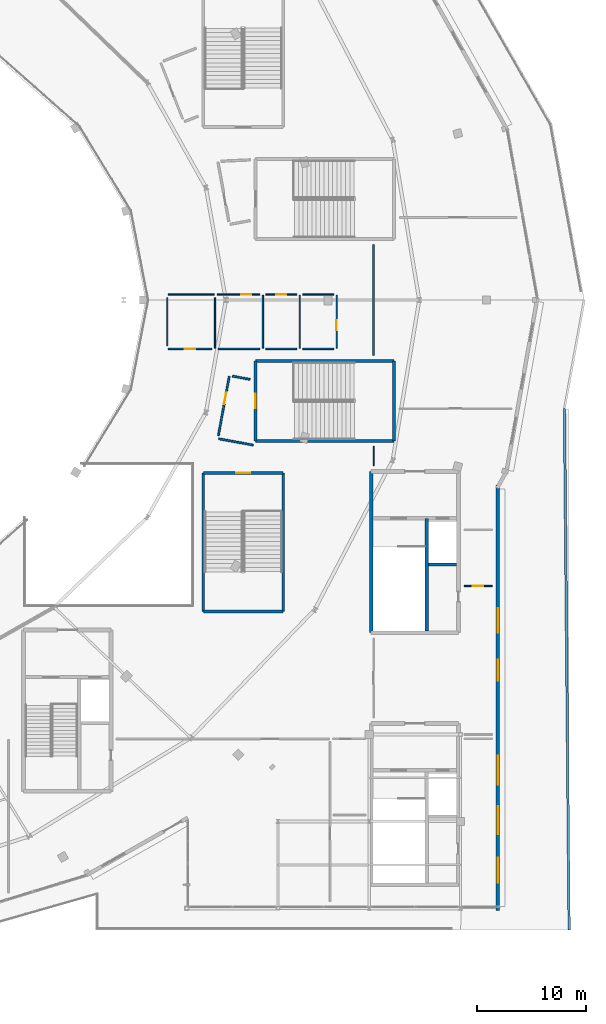
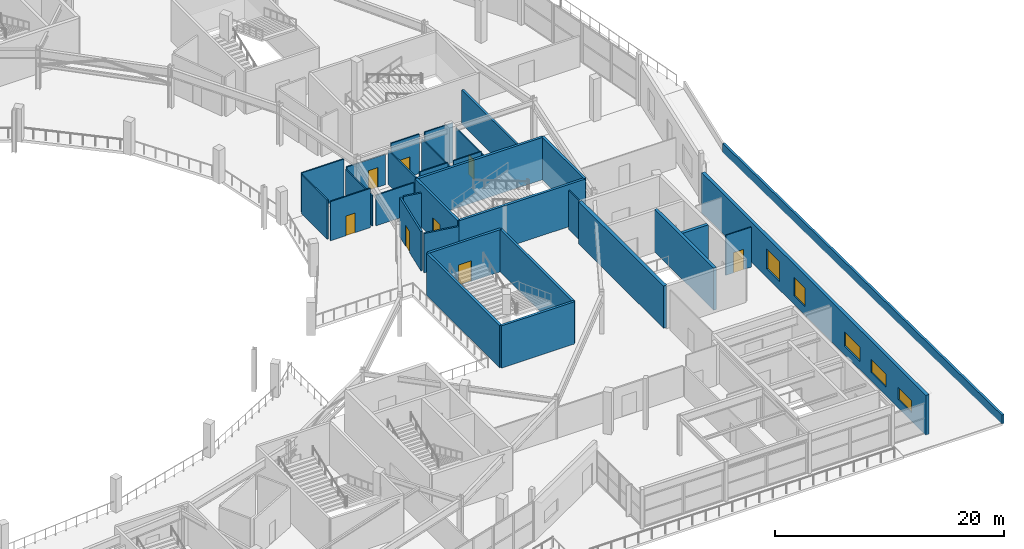
# One storey, part 92 of 123: 32 walls, 8 doors, 5 windows, 13 openings.
"""IFC4 building model written with IfcOpenShell, lengths in metres."""

import ifcopenshell
import ifcopenshell.guid

model = None  # the IFC model being written
_history = None  # IfcOwnerHistory: only IFC2X3 demands one
_inside = {}  # id of a spatial element -> (the spatial element, [elements in it])
_under = {}  # id of a project, library or spatial element -> (it, [spatial elements below it])
_declared = {}  # id of a project -> (the project, [libraries it declares])
_typed = {}  # id of a type object -> (the type object, [elements of that type])
_made_of = {}  # id of a material, layer set ... -> (it, [elements and type objects made of it])


def new_model(schema):
    """Start an empty IFC model of exactly this schema.

    Asked for "IFC4X3", IfcOpenShell would pick the latest addendum, in which some entities
    have other attributes; the version numbers below select the first issue.
    IFC2X3 requires an IfcOwnerHistory on every rooted entity: one is made here for all.
    """
    global model, _history
    if schema == "IFC4X3":
        model = ifcopenshell.file(schema_version=(4, 3, 0, 0))
    else:
        model = ifcopenshell.file(schema=schema)
    _inside.clear()
    _under.clear()
    _declared.clear()
    _typed.clear()
    _made_of.clear()
    _history = None
    if model.schema == "IFC2X3":
        org = make("IfcOrganization", Name="unknown")
        user = make(
            "IfcPersonAndOrganization",
            ThePerson=make("IfcPerson", FamilyName="unknown"),
            TheOrganization=org,
        )
        app = make(
            "IfcApplication",
            ApplicationDeveloper=org,
            Version="unknown",
            ApplicationFullName="unknown",
            ApplicationIdentifier="unknown",
        )
        _history = make(
            "IfcOwnerHistory",
            OwningUser=user,
            OwningApplication=app,
            ChangeAction="ADDED",
            CreationDate=0,
        )
    return model


def make(cls, **values):
    """One entity of the class cls with the attributes given. An attribute that is None is left unset."""
    return model.create_entity(
        cls, **{name: value for name, value in values.items() if value is not None}
    )


def rooted(cls, **values):
    """An entity with a GlobalId (a new one), such as an element, a storey or a relation."""
    return make(cls, GlobalId=ifcopenshell.guid.new(), OwnerHistory=_history, **values)


def si_unit(unit_type, name, prefix=None):
    """IfcSIUnit, for example si_unit("LENGTHUNIT", "METRE", prefix="MILLI")."""
    return make("IfcSIUnit", UnitType=unit_type, Prefix=prefix, Name=name)


def assignment(units):
    """IfcUnitAssignment: the units of a project."""
    return None if units is None else make("IfcUnitAssignment", Units=units)


def point(xyz):
    """IfcCartesianPoint."""
    return None if xyz is None else make("IfcCartesianPoint", Coordinates=xyz)


def direction(xyz):
    """IfcDirection."""
    return None if xyz is None else make("IfcDirection", DirectionRatios=xyz)


def frame(location, z_axis=None, x_axis=None):
    """IfcAxis2Placement3D, a coordinate frame: its origin and axes. An axis left out is left unset."""
    return make(
        "IfcAxis2Placement3D",
        Location=point(location),
        Axis=direction(z_axis),
        RefDirection=direction(x_axis),
    )


def frame_2d(location, x_axis=None):
    """IfcAxis2Placement2D, a coordinate frame in the plane: its origin and x axis."""
    return make(
        "IfcAxis2Placement2D", Location=point(location), RefDirection=direction(x_axis)
    )


def origin():
    """The frame at (0, 0, 0) with its axes left unset."""
    return frame((0.0, 0.0, 0.0))


def place(relative_to, where):
    """IfcLocalPlacement: puts the frame where relative to a parent placement (None: the world)."""
    return make(
        "IfcLocalPlacement", PlacementRelTo=relative_to, RelativePlacement=where
    )


def context(
    kind, dimensions, precision=None, world=None, true_north=None, identifier=None
):
    """IfcGeometricRepresentationContext, for example the 3D "Model" context."""
    return make(
        "IfcGeometricRepresentationContext",
        ContextIdentifier=identifier,
        ContextType=kind,
        CoordinateSpaceDimension=dimensions,
        Precision=precision,
        WorldCoordinateSystem=world,
        TrueNorth=true_north,
    )


def subcontext(parent, identifier, kind, view, scale=None):
    """IfcGeometricRepresentationSubContext, for example "Body" below "Model"."""
    return make(
        "IfcGeometricRepresentationSubContext",
        ContextIdentifier=identifier,
        ContextType=kind,
        ParentContext=parent,
        TargetScale=scale,
        TargetView=view,
    )


def project(units=None, contexts=None):
    """IfcProject with its units and contexts."""
    return rooted(
        "IfcProject",
        Name="project",
        RepresentationContexts=contexts,
        UnitsInContext=assignment(units),
    )


def spatial(cls, under=None, at=None, **own):
    """A site, building, storey or space (cls), placed at a placement, below another one or the project."""
    s = rooted(cls, ObjectPlacement=at, **own)
    if under is not None:
        _under.setdefault(under.id(), (under, []))[1].append(s)
    return s


def profile(cls, at=None, kind="AREA", **sizes):
    """A parametric profile (cls). Its sizes go by their IFC names, for example OverallWidth=200.0."""
    return make(cls, ProfileType=kind, Position=at, **sizes)


def rectangle(**sizes):
    """IfcRectangleProfileDef."""
    return profile("IfcRectangleProfileDef", **sizes)


def extrude(swept, where, along, depth):
    """IfcExtrudedAreaSolid: the profile swept, set in the frame where, extruded along a direction by depth."""
    return make(
        "IfcExtrudedAreaSolid",
        SweptArea=swept,
        Position=where,
        ExtrudedDirection=direction(along),
        Depth=depth,
    )


def shape(context_of_items, identifier, shape_type, items):
    """IfcShapeRepresentation: the items that make up one representation, for example the "Body"."""
    return make(
        "IfcShapeRepresentation",
        ContextOfItems=context_of_items,
        RepresentationIdentifier=identifier,
        RepresentationType=shape_type,
        Items=items,
    )


def material(Name=None, Category=None):
    """IfcMaterial."""
    return make("IfcMaterial", Name=Name, Category=Category)


def layer(
    of_material, thickness, ventilated=None, Name=None, Category=None, Priority=None
):
    """IfcMaterialLayer: one layer of a wall or slab, of a material (None: an air gap)."""
    return make(
        "IfcMaterialLayer",
        Material=of_material,
        LayerThickness=thickness,
        IsVentilated=ventilated,
        Name=Name,
        Category=Category,
        Priority=Priority,
    )


def layer_set(layers, Name=None):
    """IfcMaterialLayerSet."""
    return make("IfcMaterialLayerSet", MaterialLayers=layers, LayerSetName=Name)


def made_of(thing, what):
    """Note that an element or type object is made of a material, layer set ...; save() writes the relation."""
    if what is not None:
        _made_of.setdefault(what.id(), (what, []))[1].append(thing)
    return thing


def type_object(cls, material=None, **own):
    """A type object (cls), such as IfcWallType, which elements share."""
    return made_of(rooted(cls, **own), material)


def element(
    cls,
    number,
    at=None,
    inside=None,
    cuts=None,
    type_object=None,
    material=None,
    context=None,
    identifier="Body",
    shape_type=None,
    held_by="IfcProductDefinitionShape",
    body=None,
    shapes=None,
    **own,
):
    """One element of the class cls, such as IfcWall. Its Tag is "e" and its number.

    at: its placement. inside: the storey or other place that contains it. cuts: it is an
    opening in that element (IfcRelVoidsElement). A single representation is given by context,
    identifier, shape_type and body (its items); several are given by shapes. held_by: the class
    of the entity that holds the representations. save() writes the other relations.
    """
    e = rooted(cls, Tag="e%d" % number, ObjectPlacement=at, **own)
    if body is not None:
        shapes = [shape(context, identifier, shape_type, body)]
    if shapes is not None:
        e.Representation = make(held_by, Representations=shapes)
    if inside is not None:
        _inside.setdefault(inside.id(), (inside, []))[1].append(e)
    if cuts is not None:
        rooted(
            "IfcRelVoidsElement", RelatingBuildingElement=cuts, RelatedOpeningElement=e
        )
    if type_object is not None:
        _typed.setdefault(type_object.id(), (type_object, []))[1].append(e)
    return made_of(e, material)


def fill(opening, filler):
    """IfcRelFillsElement: the door or window that sits in an opening."""
    return rooted(
        "IfcRelFillsElement",
        RelatingOpeningElement=opening,
        RelatedBuildingElement=filler,
    )


def aggregate(whole, parts):
    """IfcRelAggregates: a whole, such as a stair, and the parts it consists of."""
    return rooted("IfcRelAggregates", RelatingObject=whole, RelatedObjects=parts)


def save(model, path):
    """Write the relations noted so far, then the file.

    IfcRelAggregates (storeys below a building ...), IfcRelContainedInSpatialStructure (elements
    in a storey), IfcRelDefinesByType, IfcRelAssociatesMaterial and IfcRelDeclares: one each for
    every whole, place, type object, material and project.
    """
    for whole, parts in _under.values():
        aggregate(whole, parts)
    for where, things in _inside.values():
        rooted(
            "IfcRelContainedInSpatialStructure",
            RelatedElements=things,
            RelatingStructure=where,
        )
    for kind, things in _typed.values():
        rooted("IfcRelDefinesByType", RelatedObjects=things, RelatingType=kind)
    for what, things in _made_of.values():
        rooted("IfcRelAssociatesMaterial", RelatedObjects=things, RelatingMaterial=what)
    for by, libraries in _declared.values():
        rooted("IfcRelDeclares", RelatingContext=by, RelatedDefinitions=libraries)
    model.write(path)


model = new_model("IFC4")

# Units and contexts
model_context = context("Model", 3, precision=1e-05, world=origin(), true_north=direction((0.0, 1.0)))
body_context = subcontext(model_context, "Body", "Model", "MODEL_VIEW")
ifc_project = project(units=[si_unit("LENGTHUNIT", "METRE"), si_unit("AREAUNIT", "SQUARE_METRE"), si_unit("VOLUMEUNIT", "CUBIC_METRE"), si_unit("PLANEANGLEUNIT", "RADIAN"), si_unit("MASSUNIT", "GRAM", prefix="KILO")], contexts=[model_context])

# Site, building, storey
site_placement = place(None, origin())
site = spatial("IfcSite", under=ifc_project, at=site_placement, CompositionType="ELEMENT")
building_placement = place(site_placement, origin())
building = spatial("IfcBuilding", under=site, at=building_placement, Name="Kalgoora Escarpment Arena", CompositionType="ELEMENT")
storey_placement = place(building_placement, frame((0.0, 0.0, 9.89990234375)))
storey = spatial("IfcBuildingStorey", under=building, at=storey_placement, Name="L02", CompositionType="ELEMENT", Elevation=9.89990234375)

# Wall
ifc_material_1 = material(Name="Concrete N50 (fc' 50 MPa)", Category="concrete")
ifc_layer_1 = layer(ifc_material_1, 0.35009765625)
ifc_layer_set_1 = layer_set([ifc_layer_1], Name="WAL-CORE-350")
wall_type_1 = type_object("IfcWallType", Name="WAL-CORE-350", PredefinedType="SHEAR", material=ifc_layer_set_1)
wall_1_placement = place(storey_placement, frame((159.77490234375, 33.375, 0.0), z_axis=(0.0, 0.0, 1.0), x_axis=(0.0, 1.0, 0.0)))
element("IfcWall", 1, at=wall_1_placement, inside=storey, type_object=wall_type_1, Name="Core C7 L02 west shear wall", PredefinedType="SHEAR", context=body_context, shape_type="SweptSolid", body=[
    extrude(rectangle(XDim=14.85009765625, YDim=0.35009765625, at=frame_2d((7.425048828125, 0.0))), origin(), (0.0, 0.0, 1.0), 4.5),
])

# Wall, openings, windows
ifc_material_2 = material(Name="Insulated limestone cladding precast wall 40 MPa", Category="masonry")
ifc_layer_2 = layer(ifc_material_2, 0.31494140625)
ifc_layer_set_2 = layer_set([ifc_layer_2], Name="WAL-EXT-315")
wall_type_2 = type_object("IfcWallType", Name="WAL-EXT-315", PredefinedType="SOLIDWALL", material=ifc_layer_set_2)
wall_2_placement = place(storey_placement, frame((171.4423828125, 46.95361328125, 0.0), z_axis=(0.0, 0.0, 1.0), x_axis=(0.0, -1.0, 0.0)))
wall_2 = element("IfcWall", 2, at=wall_2_placement, inside=storey, type_object=wall_type_2, Name="L02 limestone-faced external wall 053", PredefinedType="SOLIDWALL", context=body_context, shape_type="SweptSolid", body=[
    extrude(rectangle(XDim=39.13623046875, YDim=0.31494140625, at=frame_2d((19.568115234375, 0.0))), origin(), (0.0, 0.0, 1.0), 4.260009765625),
])
opening_1_placement = place(wall_2_placement, frame((11.324951171875, 0.0, 0.89990234375)))
opening_1 = element("IfcOpeningElement", 3, at=opening_1_placement, cuts=wall_2, Name="Opening W-07", PredefinedType="OPENING", context=body_context, shape_type="SweptSolid", body=[
    extrude(rectangle(XDim=2.25, YDim=2.10009765625, at=frame_2d((1.125, 1.050048828125))), frame((0.0, 0.16748046875, 0.0), z_axis=(0.0, -1.0, 0.0), x_axis=(1.0, 0.0, 0.0)), (0.0, 0.0, 1.0), 0.3349609375),
])
opening_2_placement = place(wall_2_placement, frame((16.074951171875, 0.0, 0.89990234375)))
opening_2 = element("IfcOpeningElement", 4, at=opening_2_placement, cuts=wall_2, Name="Opening W-09", PredefinedType="OPENING", context=body_context, shape_type="SweptSolid", body=[
    extrude(rectangle(XDim=1.949951171875, YDim=2.0, at=frame_2d((0.97509765625, 1.0))), frame((0.0, 0.16748046875, 0.0), z_axis=(0.0, -1.0, 0.0), x_axis=(1.0, 0.0, 0.0)), (0.0, 0.0, 1.0), 0.3349609375),
])
opening_3_placement = place(wall_2_placement, frame((24.89990234375, 0.0, 0.89990234375)))
opening_3 = element("IfcOpeningElement", 5, at=opening_3_placement, cuts=wall_2, Name="Opening W-12", PredefinedType="OPENING", context=body_context, shape_type="SweptSolid", body=[
    extrude(rectangle(XDim=2.699951171875, YDim=1.550048828125, at=frame_2d((1.35009765625, 0.77490234375))), frame((0.0, 0.16748046875, 0.0), z_axis=(0.0, -1.0, 0.0), x_axis=(1.0, 0.0, 0.0)), (0.0, 0.0, 1.0), 0.3349609375),
])
opening_4_placement = place(wall_2_placement, frame((29.550048828125, 0.0, 0.89990234375)))
opening_4 = element("IfcOpeningElement", 6, at=opening_4_placement, cuts=wall_2, Name="Opening W-14", PredefinedType="OPENING", context=body_context, shape_type="SweptSolid", body=[
    extrude(rectangle(XDim=2.60009765625, YDim=1.39990234375, at=frame_2d((1.300048828125, 0.699951171875))), frame((0.0, 0.16748046875, 0.0), z_axis=(0.0, -1.0, 0.0), x_axis=(1.0, 0.0, 0.0)), (0.0, 0.0, 1.0), 0.3349609375),
])
opening_5_placement = place(wall_2_placement, frame((34.300048828125, 0.0, 0.89990234375)))
opening_5 = element("IfcOpeningElement", 7, at=opening_5_placement, cuts=wall_2, Name="Opening W-16", PredefinedType="OPENING", context=body_context, shape_type="SweptSolid", body=[
    extrude(rectangle(XDim=2.300048828125, YDim=1.300048828125, at=frame_2d((1.14990234375, 0.64990234375))), frame((0.0, 0.16748046875, 0.0), z_axis=(0.0, -1.0, 0.0), x_axis=(1.0, 0.0, 0.0)), (0.0, 0.0, 1.0), 0.3349609375),
])
ifc_material_3 = material(Name="Low-E solar-control double glazing in champagne frame", Category="glass")
window_type_1 = type_object("IfcWindowType", Name="WIN-BAND-2700x1550", PartitioningType="SINGLE_PANEL", PredefinedType="WINDOW", material=ifc_material_3)
window_1_placement = place(opening_3_placement, origin())
window_1 = element("IfcWindow", 8, at=window_1_placement, inside=storey, type_object=window_type_1, Name="L02 scheduled facade window 067", OverallHeight=1.550048828125, OverallWidth=2.699951171875, PartitioningType="SINGLE_PANEL", PredefinedType="WINDOW", context=body_context, shape_type="SweptSolid", body=[
    extrude(rectangle(XDim=2.699951171875, YDim=1.550048828125, at=frame_2d((1.35009765625, 0.77490234375))), frame((0.0, 0.030029296875, 0.0), z_axis=(0.0, -1.0, 0.0), x_axis=(1.0, 0.0, 0.0)), (0.0, 0.0, 1.0), 0.06005859375),
])
fill(opening_3, window_1)
ifc_material_4 = material(Name="Low-E solar-control double glazing in champagne frame", Category="glass")
window_type_2 = type_object("IfcWindowType", Name="WIN-CLER-2300x1300", PartitioningType="SINGLE_PANEL", PredefinedType="WINDOW", material=ifc_material_4)
window_2_placement = place(opening_5_placement, origin())
window_2 = element("IfcWindow", 9, at=window_2_placement, inside=storey, type_object=window_type_2, Name="L02 scheduled facade window 069", OverallHeight=1.300048828125, OverallWidth=2.300048828125, PartitioningType="SINGLE_PANEL", PredefinedType="WINDOW", context=body_context, shape_type="SweptSolid", body=[
    extrude(rectangle(XDim=2.300048828125, YDim=1.300048828125, at=frame_2d((1.14990234375, 0.64990234375))), frame((0.0, 0.030029296875, 0.0), z_axis=(0.0, -1.0, 0.0), x_axis=(1.0, 0.0, 0.0)), (0.0, 0.0, 1.0), 0.06005859375),
])
fill(opening_5, window_2)
ifc_material_5 = material(Name="Low-E solar-control double glazing in champagne frame", Category="glass")
window_type_3 = type_object("IfcWindowType", Name="WIN-CLER-2600x1400", PartitioningType="SINGLE_PANEL", PredefinedType="WINDOW", material=ifc_material_5)
window_3_placement = place(opening_4_placement, origin())
window_3 = element("IfcWindow", 10, at=window_3_placement, inside=storey, type_object=window_type_3, Name="L02 scheduled facade window 068", OverallHeight=1.39990234375, OverallWidth=2.60009765625, PartitioningType="SINGLE_PANEL", PredefinedType="WINDOW", context=body_context, shape_type="SweptSolid", body=[
    extrude(rectangle(XDim=2.60009765625, YDim=1.39990234375, at=frame_2d((1.300048828125, 0.699951171875))), frame((0.0, 0.030029296875, 0.0), z_axis=(0.0, -1.0, 0.0), x_axis=(1.0, 0.0, 0.0)), (0.0, 0.0, 1.0), 0.06005859375),
])
fill(opening_4, window_3)
ifc_material_6 = material(Name="Low-E solar-control double glazing in champagne frame", Category="glass")
window_type_4 = type_object("IfcWindowType", Name="WIN-DECO-1950x2000", PartitioningType="SINGLE_PANEL", PredefinedType="WINDOW", material=ifc_material_6)
window_4_placement = place(opening_2_placement, origin())
window_4 = element("IfcWindow", 11, at=window_4_placement, inside=storey, type_object=window_type_4, Name="L02 scheduled facade window 066", OverallHeight=2.0, OverallWidth=1.949951171875, PartitioningType="SINGLE_PANEL", PredefinedType="WINDOW", context=body_context, shape_type="SweptSolid", body=[
    extrude(rectangle(XDim=1.949951171875, YDim=2.0, at=frame_2d((0.97509765625, 1.0))), frame((0.0, 0.030029296875, 0.0), z_axis=(0.0, -1.0, 0.0), x_axis=(1.0, 0.0, 0.0)), (0.0, 0.0, 1.0), 0.06005859375),
])
fill(opening_2, window_4)
ifc_material_7 = material(Name="Low-E solar-control double glazing in champagne frame", Category="glass")
window_type_5 = type_object("IfcWindowType", Name="WIN-DECO-2250x2100", PartitioningType="SINGLE_PANEL", PredefinedType="WINDOW", material=ifc_material_7)
window_5_placement = place(opening_1_placement, origin())
window_5 = element("IfcWindow", 12, at=window_5_placement, inside=storey, type_object=window_type_5, Name="L02 scheduled facade window 065", OverallHeight=2.10009765625, OverallWidth=2.25, PartitioningType="SINGLE_PANEL", PredefinedType="WINDOW", context=body_context, shape_type="SweptSolid", body=[
    extrude(rectangle(XDim=2.25, YDim=2.10009765625, at=frame_2d((1.125, 1.050048828125))), frame((0.0, 0.030029296875, 0.0), z_axis=(0.0, -1.0, 0.0), x_axis=(1.0, 0.0, 0.0)), (0.0, 0.0, 1.0), 0.06005859375),
])
fill(opening_1, window_5)

# Wall, opening, door
ifc_material_8 = material(Name="Framed acoustic studio partition", Category="gypsum")
ifc_layer_3 = layer(ifc_material_8, 0.10498046875)
ifc_layer_set_3 = layer_set([ifc_layer_3], Name="WAL-GLZ-105")
wall_type_3 = type_object("IfcWallType", Name="WAL-GLZ-105", PredefinedType="PARTITIONING", material=ifc_layer_set_3)
wall_3_placement = place(storey_placement, frame((168.324951171875, 37.675048828125, 0.0), z_axis=(0.0, 0.0, 1.0), x_axis=(1.0, 0.0, 0.0)))
wall_3 = element("IfcWall", 13, at=wall_3_placement, inside=storey, type_object=wall_type_3, Name="L02 Practice Viewing Gallery partition wall", PredefinedType="PARTITIONING", context=body_context, shape_type="SweptSolid", body=[
    extrude(rectangle(XDim=2.587646484375, YDim=0.10498046875, at=frame_2d((1.2939453125, 0.0))), origin(), (0.0, 0.0, 1.0), 4.260009765625),
])
opening_6_placement = place(wall_3_placement, frame((0.8037109375, 0.0, 0.0)))
opening_6 = element("IfcOpeningElement", 14, at=opening_6_placement, cuts=wall_3, Name="Opening D-I100", PredefinedType="OPENING", context=body_context, shape_type="SweptSolid", body=[
    extrude(rectangle(XDim=0.97998046875, YDim=2.14990234375, at=frame_2d((0.489990234375, 1.074951171875))), frame((0.0, 0.0625, 0.0), z_axis=(0.0, -1.0, 0.0), x_axis=(1.0, 0.0, 0.0)), (0.0, 0.0, 1.0), 0.125),
])
ifc_material_9 = material(Name="Solid-core acoustic timber door", Category="wood")
door_type_1 = type_object("IfcDoorType", Name="DR-GEN-0980", OperationType="NOTDEFINED", PredefinedType="DOOR", material=ifc_material_9)
door_1_placement = place(opening_6_placement, origin())
door_1 = element("IfcDoor", 15, at=door_1_placement, inside=storey, type_object=door_type_1, Name="Practice Viewing Gallery 2 entrance door", OperationType="SINGLE_SWING_RIGHT", OverallHeight=2.14990234375, OverallWidth=0.97998046875, PredefinedType="DOOR", context=body_context, shape_type="SweptSolid", body=[
    extrude(rectangle(XDim=0.97998046875, YDim=2.14990234375, at=frame_2d((0.489990234375, 1.074951171875))), frame((0.0, 0.02490234375, 0.0), z_axis=(0.0, -1.0, 0.0), x_axis=(1.0, 0.0, 0.0)), (0.0, 0.0, 1.0), 0.050048828125),
])
fill(opening_6, door_1)

# Walls
wall_4_placement = place(storey_placement, frame((160.0, 48.72509765625, 0.0), z_axis=(0.0, 0.0, 1.0), x_axis=(0.0, 1.0, 0.0)))
element("IfcWall", 16, at=wall_4_placement, inside=storey, type_object=wall_type_3, Name="L02 Practice Viewing Gallery 3 partition wall", PredefinedType="PARTITIONING", context=body_context, shape_type="SweptSolid", body=[
    extrude(rectangle(XDim=1.7998046875, YDim=0.10498046875, at=frame_2d((0.89990234375, 0.0))), origin(), (0.0, 0.0, 1.0), 4.18017578125),
])
ifc_material_10 = material(Name="Precast limestone coping parapet Concrete N40 (fc' 40 MPa)", Category="masonry")
ifc_layer_4 = layer(ifc_material_10, 0.22509765625)
ifc_layer_set_4 = layer_set([ifc_layer_4], Name="WAL-PAR-225")
wall_type_4 = type_object("IfcWallType", Name="WAL-PAR-225", PredefinedType="PARAPET", material=ifc_layer_set_4)
wall_5_placement = place(storey_placement, frame((177.5703125, 54.0, 0.0), z_axis=(0.0, 0.0, 1.0), x_axis=(0.00895146426, -0.999959934841, 0.0)))
element("IfcWall", 17, at=wall_5_placement, inside=storey, type_object=wall_type_4, Name="L02 stepped ziggurat limestone parapet 003", PredefinedType="PARAPET", context=body_context, shape_type="SweptSolid", body=[
    extrude(rectangle(XDim=48.001953125, YDim=0.22509765625, at=frame_2d((24.0009765625, 0.0))), origin(), (0.0, 0.0, 1.0), 0.9501953125),
])
ifc_material_11 = material(Name="Acoustic masonry plant wall Concrete N40 (fc' 40 MPa)", Category="masonry")
ifc_layer_5 = layer(ifc_material_11, 0.205078125)
ifc_layer_set_5 = layer_set([ifc_layer_5], Name="WAL-PLANT-205")
wall_type_5 = type_object("IfcWallType", Name="WAL-PLANT-205", PredefinedType="SOLIDWALL", material=ifc_layer_set_5)
wall_6_placement = place(storey_placement, frame((160.0, 58.875, 0.0), z_axis=(0.0, 0.0, 1.0), x_axis=(0.0, 1.0, 0.0)))
element("IfcWall", 18, at=wall_6_placement, inside=storey, type_object=wall_type_5, Name="L02 Club Level AHU Plant partition wall", PredefinedType="SOLIDWALL", context=body_context, shape_type="SweptSolid", body=[
    extrude(rectangle(XDim=10.25, YDim=0.205078125, at=frame_2d((5.125, 0.0))), origin(), (0.0, 0.0, 1.0), 3.627197265625),
])
ifc_material_12 = material(Name="Concrete N50 (fc' 50 MPa)", Category="concrete")
ifc_layer_6 = layer(ifc_material_12, 0.300048828125)
ifc_layer_set_6 = layer_set([ifc_layer_6], Name="WAL-SHAFT-300")
wall_type_6 = type_object("IfcWallType", Name="WAL-SHAFT-300", PredefinedType="SHEAR", material=ifc_layer_set_6)
wall_7_placement = place(storey_placement, frame((164.89990234375, 33.550048828125, 0.0), z_axis=(0.0, 0.0, 1.0), x_axis=(0.0, 1.0, 0.0)))
element("IfcWall", 19, at=wall_7_placement, inside=storey, type_object=wall_type_6, Name="Core C7 L02 stair-lift spine wall", PredefinedType="SHEAR", context=body_context, shape_type="SweptSolid", body=[
    extrude(rectangle(XDim=10.349853515625, YDim=0.300048828125, at=frame_2d((5.1748046875, 0.0))), origin(), (0.0, 0.0, 1.0), 4.5),
])
wall_8_placement = place(storey_placement, frame((165.050048828125, 39.64990234375, 0.0), z_axis=(0.0, 0.0, 1.0), x_axis=(1.0, 0.0, 0.0)))
element("IfcWall", 20, at=wall_8_placement, inside=storey, type_object=wall_type_6, Name="Core C7 L02 lift-riser divider wall", PredefinedType="SHEAR", context=body_context, shape_type="SweptSolid", body=[
    extrude(rectangle(XDim=2.599853515625, YDim=0.300048828125, at=frame_2d((1.2998046875, 0.0))), origin(), (0.0, 0.0, 1.0), 4.5),
])
ifc_material_13 = material(Name="Concrete N50 (fc' 50 MPa)", Category="concrete")
ifc_layer_7 = layer(ifc_material_13, 0.25)
ifc_layer_set_7 = layer_set([ifc_layer_7], Name="WAL-STAIR-250")
wall_type_7 = type_object("IfcWallType", Name="WAL-STAIR-250", PredefinedType="SHEAR", material=ifc_layer_set_7)
for number, where, z_axis, x_axis, name in (
    (21, (149.125, 51.02490234375, 0.0), (0.0, 0.0, 1.0), (1.0, 0.0, 0.0), "Exit stair ST22 L02 south wall"),
    (22, (149.125, 58.375, 0.0), (0.0, 0.0, 1.0), (1.0, 0.0, 0.0), "Exit stair ST22 L02 north wall"),
):
    element("IfcWall", number, at=place(storey_placement, frame(where, z_axis=z_axis, x_axis=x_axis)), inside=storey, type_object=wall_type_7, Name=name, PredefinedType="SHEAR", context=body_context, shape_type="SweptSolid", body=[
        extrude(rectangle(XDim=12.75, YDim=0.25, at=frame_2d((6.375, 0.0))), origin(), (0.0, 0.0, 1.0), 4.5),
    ])

# Wall, opening, door
wall_9_placement = place(storey_placement, frame((149.125, 51.02490234375, 0.0), z_axis=(0.0, 0.0, 1.0), x_axis=(0.0, 1.0, 0.0)))
wall_9 = element("IfcWall", 23, at=wall_9_placement, inside=storey, type_object=wall_type_7, Name="Exit stair ST22 L02 west wall", PredefinedType="SHEAR", context=body_context, shape_type="SweptSolid", body=[
    extrude(rectangle(XDim=7.35009765625, YDim=0.25, at=frame_2d((3.675048828125, 0.0))), origin(), (0.0, 0.0, 1.0), 4.5),
])
opening_7_placement = place(wall_9_placement, frame((3.014892578125, 0.0, 0.0)))
opening_7 = element("IfcOpeningElement", 24, at=opening_7_placement, cuts=wall_9, Name="Opening FD-ST22", PredefinedType="OPENING", context=body_context, shape_type="SweptSolid", body=[
    extrude(rectangle(XDim=1.320068359375, YDim=2.199951171875, at=frame_2d((0.66015625, 1.10009765625))), frame((0.0, 0.135009765625, 0.0), z_axis=(0.0, -1.0, 0.0), x_axis=(1.0, 0.0, 0.0)), (0.0, 0.0, 1.0), 0.27001953125),
])
ifc_material_14 = material(Name="Fire-rated steel stair leaf with vision panel", Category="steel")
door_type_2 = type_object("IfcDoorType", Name="DR-STAIR-1320", OperationType="NOTDEFINED", PredefinedType="DOOR", material=ifc_material_14)
door_2_placement = place(opening_7_placement, origin())
door_2 = element("IfcDoor", 25, at=door_2_placement, inside=storey, type_object=door_type_2, Name="Fire-isolated stair ST22 L02 egress door", OperationType="SINGLE_SWING_RIGHT", OverallHeight=2.199951171875, OverallWidth=1.320068359375, PredefinedType="DOOR", context=body_context, shape_type="SweptSolid", body=[
    extrude(rectangle(XDim=1.320068359375, YDim=2.199951171875, at=frame_2d((0.66015625, 1.10009765625))), frame((0.0, 0.02490234375, 0.0), z_axis=(0.0, -1.0, 0.0), x_axis=(1.0, 0.0, 0.0)), (0.0, 0.0, 1.0), 0.050048828125),
])
fill(opening_7, door_2)

# Walls
for number, where, z_axis, x_axis, name in (
    (26, (161.875, 51.02490234375, 0.0), (0.0, 0.0, 1.0), (0.0, 1.0, 0.0), "Exit stair ST22 L02 east wall"),
    (27, (144.324951171875, 35.324951171875, 0.0), (0.0, 0.0, 1.0), (1.0, 0.0, 0.0), "Exit stair ST24 L02 south wall"),
):
    element("IfcWall", number, at=place(storey_placement, frame(where, z_axis=z_axis, x_axis=x_axis)), inside=storey, type_object=wall_type_7, Name=name, PredefinedType="SHEAR", context=body_context, shape_type="SweptSolid", body=[
        extrude(rectangle(XDim=7.35009765625, YDim=0.25, at=frame_2d((3.675048828125, 0.0))), origin(), (0.0, 0.0, 1.0), 4.5),
    ])

# Wall, opening, door
wall_10_placement = place(storey_placement, frame((144.324951171875, 48.074951171875, 0.0), z_axis=(0.0, 0.0, 1.0), x_axis=(1.0, 0.0, 0.0)))
wall_10 = element("IfcWall", 28, at=wall_10_placement, inside=storey, type_object=wall_type_7, Name="Exit stair ST24 L02 north wall", PredefinedType="SHEAR", context=body_context, shape_type="SweptSolid", body=[
    extrude(rectangle(XDim=7.35009765625, YDim=0.25, at=frame_2d((3.675048828125, 0.0))), origin(), (0.0, 0.0, 1.0), 4.5),
])
opening_8_placement = place(wall_10_placement, frame((3.014892578125, 0.0, 0.0)))
opening_8 = element("IfcOpeningElement", 29, at=opening_8_placement, cuts=wall_10, Name="Opening FD-ST24", PredefinedType="OPENING", context=body_context, shape_type="SweptSolid", body=[
    extrude(rectangle(XDim=1.320068359375, YDim=2.199951171875, at=frame_2d((0.66015625, 1.10009765625))), frame((0.0, 0.135009765625, 0.0), z_axis=(0.0, -1.0, 0.0), x_axis=(1.0, 0.0, 0.0)), (0.0, 0.0, 1.0), 0.27001953125),
])
door_3_placement = place(opening_8_placement, origin())
door_3 = element("IfcDoor", 30, at=door_3_placement, inside=storey, type_object=door_type_2, Name="Fire-isolated stair ST24 L02 egress door", OperationType="SINGLE_SWING_RIGHT", OverallHeight=2.199951171875, OverallWidth=1.320068359375, PredefinedType="DOOR", context=body_context, shape_type="SweptSolid", body=[
    extrude(rectangle(XDim=1.320068359375, YDim=2.199951171875, at=frame_2d((0.66015625, 1.10009765625))), frame((0.0, 0.02490234375, 0.0), z_axis=(0.0, -1.0, 0.0), x_axis=(1.0, 0.0, 0.0)), (0.0, 0.0, 1.0), 0.050048828125),
])
fill(opening_8, door_3)

# Walls
for number, where, z_axis, x_axis, name in (
    (31, (144.324951171875, 35.324951171875, 0.0), (0.0, 0.0, 1.0), (0.0, 1.0, 0.0), "Exit stair ST24 L02 west wall"),
    (32, (151.675048828125, 35.324951171875, 0.0), (0.0, 0.0, 1.0), (0.0, 1.0, 0.0), "Exit stair ST24 L02 east wall"),
):
    element("IfcWall", number, at=place(storey_placement, frame(where, z_axis=z_axis, x_axis=x_axis)), inside=storey, type_object=wall_type_7, Name=name, PredefinedType="SHEAR", context=body_context, shape_type="SweptSolid", body=[
        extrude(rectangle(XDim=12.75, YDim=0.25, at=frame_2d((6.375, 0.0))), origin(), (0.0, 0.0, 1.0), 4.5),
    ])
ifc_material_15 = material(Name="Twin-stud acoustic plasterboard FRL -/60/60", Category="gypsum")
ifc_layer_8 = layer(ifc_material_15, 0.175048828125)
ifc_layer_set_8 = layer_set([ifc_layer_8], Name="WAL-SUITE-175")
wall_type_8 = type_object("IfcWallType", Name="WAL-SUITE-175", PredefinedType="PARTITIONING", material=ifc_layer_set_8)
wall_11_placement = place(storey_placement, frame((148.910888671875, 50.642333984375, 0.0), z_axis=(0.0, 0.0, 1.0), x_axis=(-0.983611030529, 0.180303468135, 0.0)))
element("IfcWall", 33, at=wall_11_placement, inside=storey, type_object=wall_type_8, Name="L02 Hospitality Suite HS18 partition wall", PredefinedType="PARTITIONING", context=body_context, shape_type="SweptSolid", body=[
    extrude(rectangle(XDim=3.226806640625, YDim=0.175048828125, at=frame_2d((1.61328125, 0.0))), origin(), (0.0, 0.0, 1.0), 4.18017578125),
])

# Wall, opening, door
wall_12_placement = place(storey_placement, frame((145.709716796875, 51.5185546875, 0.0), z_axis=(0.0, 0.0, 1.0), x_axis=(0.180305821673, 0.983610599104, 0.0)))
wall_12 = element("IfcWall", 34, at=wall_12_placement, inside=storey, type_object=wall_type_8, Name="L02 Hospitality Suite HS18 partition wall", PredefinedType="PARTITIONING", context=body_context, shape_type="SweptSolid", body=[
    extrude(rectangle(XDim=5.535400390625, YDim=0.175048828125, at=frame_2d((2.767578125, 0.0))), origin(), (0.0, 0.0, 1.0), 4.18017578125),
])
opening_9_placement = place(wall_12_placement, frame((2.960205078125, 0.0, 0.0)))
opening_9 = element("IfcOpeningElement", 35, at=opening_9_placement, cuts=wall_12, Name="Opening FD-I092", PredefinedType="OPENING", context=body_context, shape_type="SweptSolid", body=[
    extrude(rectangle(XDim=1.050048828125, YDim=2.25, at=frame_2d((0.52490234375, 1.125))), frame((0.0, 0.097412109375, 0.0), z_axis=(0.0, -1.0, 0.0), x_axis=(1.0, 0.0, 0.0)), (0.0, 0.0, 1.0), 0.195068359375),
])
ifc_material_16 = material(Name="Veneered timber acoustic suite entrance door", Category="wood")
door_type_3 = type_object("IfcDoorType", Name="DR-SUITE-1050", OperationType="NOTDEFINED", PredefinedType="DOOR", material=ifc_material_16)
door_4_placement = place(opening_9_placement, origin())
door_4 = element("IfcDoor", 36, at=door_4_placement, inside=storey, type_object=door_type_3, Name="Hospitality Suite HS18 entrance door", OperationType="SINGLE_SWING_RIGHT", OverallHeight=2.25, OverallWidth=1.050048828125, PredefinedType="DOOR", context=body_context, shape_type="SweptSolid", body=[
    extrude(rectangle(XDim=1.050048828125, YDim=2.25, at=frame_2d((0.52490234375, 1.125))), frame((0.0, 0.02490234375, 0.0), z_axis=(0.0, -1.0, 0.0), x_axis=(1.0, 0.0, 0.0)), (0.0, 0.0, 1.0), 0.050048828125),
])
fill(opening_9, door_4)

# Walls
wall_13_placement = place(storey_placement, frame((147.002197265625, 56.990478515625, 0.0), z_axis=(0.0, 0.0, 1.0), x_axis=(0.983620542505, -0.18025156965, 0.0)))
element("IfcWall", 37, at=wall_13_placement, inside=storey, type_object=wall_type_8, Name="L02 Hospitality Suite HS18 partition wall", PredefinedType="PARTITIONING", context=body_context, shape_type="SweptSolid", body=[
    extrude(rectangle(XDim=1.651123046875, YDim=0.175048828125, at=frame_2d((0.82568359375, 0.0))), origin(), (0.0, 0.0, 1.0), 4.18017578125),
])
ifc_material_17 = material(Name="Moisture-resistant wet-area partition", Category="gypsum")
ifc_layer_9 = layer(ifc_material_17, 0.125)
ifc_layer_set_9 = layer_set([ifc_layer_9], Name="WAL-WC-125")
wall_type_9 = type_object("IfcWallType", Name="WAL-WC-125", PredefinedType="PARTITIONING", material=ifc_layer_set_9)
wall_14_placement = place(storey_placement, frame((141.080078125, 64.5, 0.0), z_axis=(0.0, 0.0, 1.0), x_axis=(1.0, 0.0, 0.0)))
element("IfcWall", 38, at=wall_14_placement, inside=storey, type_object=wall_type_9, Name="L02 Male WC 2 partition wall", PredefinedType="PARTITIONING", context=body_context, shape_type="SweptSolid", body=[
    extrude(rectangle(XDim=4.239990234375, YDim=0.125, at=frame_2d((2.1201171875, 0.0))), origin(), (0.0, 0.0, 1.0), 4.2001953125),
])
wall_15_placement = place(storey_placement, frame((145.39990234375, 64.215087890625, 0.0), z_axis=(0.0, 0.0, 1.0), x_axis=(0.0, -1.0, 0.0)))
element("IfcWall", 39, at=wall_15_placement, inside=storey, type_object=wall_type_9, Name="L02 Male WC 2 partition wall", PredefinedType="PARTITIONING", context=body_context, shape_type="SweptSolid", body=[
    extrude(rectangle(XDim=4.635009765625, YDim=0.125, at=frame_2d((2.3173828125, 0.0))), origin(), (0.0, 0.0, 1.0), 3.2451171875),
])

# Wall, opening, door
wall_16_placement = place(storey_placement, frame((145.115234375, 59.5, 0.0), z_axis=(0.0, 0.0, 1.0), x_axis=(-1.0, 0.0, 0.0)))
wall_16 = element("IfcWall", 40, at=wall_16_placement, inside=storey, type_object=wall_type_9, Name="L02 Male WC 2 partition wall", PredefinedType="PARTITIONING", context=body_context, shape_type="SweptSolid", body=[
    extrude(rectangle(XDim=4.03515625, YDim=0.125, at=frame_2d((2.017578125, 0.0))), origin(), (0.0, 0.0, 1.0), 4.18017578125),
])
opening_10_placement = place(wall_16_placement, frame((1.54248046875, 0.0, 0.0)))
opening_10 = element("IfcOpeningElement", 41, at=opening_10_placement, cuts=wall_16, Name="Opening D-I074", PredefinedType="OPENING", context=body_context, shape_type="SweptSolid", body=[
    extrude(rectangle(XDim=0.949951171875, YDim=2.10009765625, at=frame_2d((0.47509765625, 1.050048828125))), frame((0.0, 0.072509765625, 0.0), z_axis=(0.0, -1.0, 0.0), x_axis=(1.0, 0.0, 0.0)), (0.0, 0.0, 1.0), 0.14501953125),
])
ifc_material_18 = material(Name="Moisture-resistant laminate accessible WC door")
door_type_4 = type_object("IfcDoorType", Name="DR-WC-0950", OperationType="NOTDEFINED", PredefinedType="DOOR", material=ifc_material_18)
door_5_placement = place(opening_10_placement, origin())
door_5 = element("IfcDoor", 42, at=door_5_placement, inside=storey, type_object=door_type_4, Name="Male WC 2 entrance door", OperationType="SINGLE_SWING_RIGHT", OverallHeight=2.10009765625, OverallWidth=0.949951171875, PredefinedType="DOOR", context=body_context, shape_type="SweptSolid", body=[
    extrude(rectangle(XDim=0.949951171875, YDim=2.10009765625, at=frame_2d((0.47509765625, 1.050048828125))), frame((0.0, 0.02490234375, 0.0), z_axis=(0.0, -1.0, 0.0), x_axis=(1.0, 0.0, 0.0)), (0.0, 0.0, 1.0), 0.050048828125),
])
fill(opening_10, door_5)

# Walls
wall_17_placement = place(storey_placement, frame((141.0, 59.784912109375, 0.0), z_axis=(0.0, 0.0, 1.0), x_axis=(0.0, 1.0, 0.0)))
element("IfcWall", 43, at=wall_17_placement, inside=storey, type_object=wall_type_9, Name="L02 Male WC 2 partition wall", PredefinedType="PARTITIONING", context=body_context, shape_type="SweptSolid", body=[
    extrude(rectangle(XDim=4.43017578125, YDim=0.125, at=frame_2d((2.215087890625, 0.0))), origin(), (0.0, 0.0, 1.0), 4.18017578125),
])
wall_18_placement = place(storey_placement, frame((149.800048828125, 64.419921875, 0.0), z_axis=(0.0, 0.0, 1.0), x_axis=(0.0, -1.0, 0.0)))
element("IfcWall", 44, at=wall_18_placement, inside=storey, type_object=wall_type_9, Name="L02 Female WC 2 partition wall", PredefinedType="PARTITIONING", context=body_context, shape_type="SweptSolid", body=[
    extrude(rectangle(XDim=4.83984375, YDim=0.125, at=frame_2d((2.419921875, 0.0))), origin(), (0.0, 0.0, 1.0), 3.627197265625),
])
wall_19_placement = place(storey_placement, frame((149.51513671875, 59.5, 0.0), z_axis=(0.0, 0.0, 1.0), x_axis=(-1.0, 0.0, 0.0)))
element("IfcWall", 45, at=wall_19_placement, inside=storey, type_object=wall_type_9, Name="L02 Female WC 2 partition wall", PredefinedType="PARTITIONING", context=body_context, shape_type="SweptSolid", body=[
    extrude(rectangle(XDim=3.830322265625, YDim=0.125, at=frame_2d((1.9150390625, 0.0))), origin(), (0.0, 0.0, 1.0), 3.2451171875),
])

# Wall, opening, door
wall_20_placement = place(storey_placement, frame((145.6201171875, 64.5, 0.0), z_axis=(0.0, 0.0, 1.0), x_axis=(1.0, 0.0, 0.0)))
wall_20 = element("IfcWall", 46, at=wall_20_placement, inside=storey, type_object=wall_type_9, Name="L02 Female WC 2 partition wall", PredefinedType="PARTITIONING", context=body_context, shape_type="SweptSolid", body=[
    extrude(rectangle(XDim=3.89501953125, YDim=0.125, at=frame_2d((1.947509765625, 0.0))), origin(), (0.0, 0.0, 1.0), 3.2451171875),
])
opening_11_placement = place(wall_20_placement, frame((2.20166015625, 0.0, 0.0)))
opening_11 = element("IfcOpeningElement", 47, at=opening_11_placement, cuts=wall_20, Name="Opening D-I075", PredefinedType="OPENING", context=body_context, shape_type="SweptSolid", body=[
    extrude(rectangle(XDim=0.919921875, YDim=2.10009765625, at=frame_2d((0.4599609375, 1.050048828125))), frame((0.0, 0.072509765625, 0.0), z_axis=(0.0, -1.0, 0.0), x_axis=(1.0, 0.0, 0.0)), (0.0, 0.0, 1.0), 0.14501953125),
])
ifc_material_19 = material(Name="Moisture-resistant laminate WC door")
door_type_5 = type_object("IfcDoorType", Name="DR-WC-0920", OperationType="NOTDEFINED", PredefinedType="DOOR", material=ifc_material_19)
door_6_placement = place(opening_11_placement, origin())
door_6 = element("IfcDoor", 48, at=door_6_placement, inside=storey, type_object=door_type_5, Name="Female WC 2 entrance door", OperationType="SINGLE_SWING_LEFT", OverallHeight=2.10009765625, OverallWidth=0.919921875, PredefinedType="DOOR", context=body_context, shape_type="SweptSolid", body=[
    extrude(rectangle(XDim=0.919921875, YDim=2.10009765625, at=frame_2d((0.4599609375, 1.050048828125))), frame((0.0, 0.02490234375, 0.0), z_axis=(0.0, -1.0, 0.0), x_axis=(1.0, 0.0, 0.0)), (0.0, 0.0, 1.0), 0.050048828125),
])
fill(opening_11, door_6)

# Walls
wall_21_placement = place(storey_placement, frame((153.199951171875, 64.419921875, 0.0), z_axis=(0.0, 0.0, 1.0), x_axis=(0.0, -1.0, 0.0)))
element("IfcWall", 49, at=wall_21_placement, inside=storey, type_object=wall_type_9, Name="L02 Accessible WC 2 partition wall", PredefinedType="PARTITIONING", context=body_context, shape_type="SweptSolid", body=[
    extrude(rectangle(XDim=4.83984375, YDim=0.125, at=frame_2d((2.419921875, 0.0))), origin(), (0.0, 0.0, 1.0), 3.627197265625),
])
wall_22_placement = place(storey_placement, frame((152.915283203125, 59.5, 0.0), z_axis=(0.0, 0.0, 1.0), x_axis=(-1.0, 0.0, 0.0)))
element("IfcWall", 50, at=wall_22_placement, inside=storey, type_object=wall_type_9, Name="L02 Accessible WC 2 partition wall", PredefinedType="PARTITIONING", context=body_context, shape_type="SweptSolid", body=[
    extrude(rectangle(XDim=2.83056640625, YDim=0.125, at=frame_2d((1.415283203125, 0.0))), origin(), (0.0, 0.0, 1.0), 4.18017578125),
])

# Wall, opening, door
wall_23_placement = place(storey_placement, frame((150.084716796875, 64.5, 0.0), z_axis=(0.0, 0.0, 1.0), x_axis=(1.0, 0.0, 0.0)))
wall_23 = element("IfcWall", 51, at=wall_23_placement, inside=storey, type_object=wall_type_9, Name="L02 Accessible WC 2 partition wall", PredefinedType="PARTITIONING", context=body_context, shape_type="SweptSolid", body=[
    extrude(rectangle(XDim=2.83056640625, YDim=0.125, at=frame_2d((1.415283203125, 0.0))), origin(), (0.0, 0.0, 1.0), 4.2001953125),
])
opening_12_placement = place(wall_23_placement, frame((0.940185546875, 0.0, 0.0)))
opening_12 = element("IfcOpeningElement", 52, at=opening_12_placement, cuts=wall_23, Name="Opening D-I076", PredefinedType="OPENING", context=body_context, shape_type="SweptSolid", body=[
    extrude(rectangle(XDim=0.949951171875, YDim=2.10009765625, at=frame_2d((0.47509765625, 1.050048828125))), frame((0.0, 0.072509765625, 0.0), z_axis=(0.0, -1.0, 0.0), x_axis=(1.0, 0.0, 0.0)), (0.0, 0.0, 1.0), 0.14501953125),
])
door_7_placement = place(opening_12_placement, origin())
door_7 = element("IfcDoor", 53, at=door_7_placement, inside=storey, type_object=door_type_4, Name="Accessible WC 2 entrance door", OperationType="SINGLE_SWING_RIGHT", OverallHeight=2.10009765625, OverallWidth=0.949951171875, PredefinedType="DOOR", context=body_context, shape_type="SweptSolid", body=[
    extrude(rectangle(XDim=0.949951171875, YDim=2.10009765625, at=frame_2d((0.47509765625, 1.050048828125))), frame((0.0, 0.02490234375, 0.0), z_axis=(0.0, -1.0, 0.0), x_axis=(1.0, 0.0, 0.0)), (0.0, 0.0, 1.0), 0.050048828125),
])
fill(opening_12, door_7)

wall_24_placement = place(storey_placement, frame((156.60009765625, 64.419921875, 0.0), z_axis=(0.0, 0.0, 1.0), x_axis=(0.0, -1.0, 0.0)))
wall_24 = element("IfcWall", 54, at=wall_24_placement, inside=storey, type_object=wall_type_9, Name="L02 Staff WC 2 partition wall", PredefinedType="PARTITIONING", context=body_context, shape_type="SweptSolid", body=[
    extrude(rectangle(XDim=4.83984375, YDim=0.125, at=frame_2d((2.419921875, 0.0))), origin(), (0.0, 0.0, 1.0), 3.627197265625),
])
opening_13_placement = place(wall_24_placement, frame((2.273681640625, 0.0, 0.0)))
opening_13 = element("IfcOpeningElement", 55, at=opening_13_placement, cuts=wall_24, Name="Opening D-I077", PredefinedType="OPENING", context=body_context, shape_type="SweptSolid", body=[
    extrude(rectangle(XDim=0.919921875, YDim=2.10009765625, at=frame_2d((0.4599609375, 1.050048828125))), frame((0.0, 0.072509765625, 0.0), z_axis=(0.0, -1.0, 0.0), x_axis=(1.0, 0.0, 0.0)), (0.0, 0.0, 1.0), 0.14501953125),
])
door_8_placement = place(opening_13_placement, origin())
door_8 = element("IfcDoor", 56, at=door_8_placement, inside=storey, type_object=door_type_5, Name="Staff WC 2 entrance door", OperationType="SINGLE_SWING_LEFT", OverallHeight=2.10009765625, OverallWidth=0.919921875, PredefinedType="DOOR", context=body_context, shape_type="SweptSolid", body=[
    extrude(rectangle(XDim=0.919921875, YDim=2.10009765625, at=frame_2d((0.4599609375, 1.050048828125))), frame((0.0, 0.02490234375, 0.0), z_axis=(0.0, -1.0, 0.0), x_axis=(1.0, 0.0, 0.0)), (0.0, 0.0, 1.0), 0.050048828125),
])
fill(opening_13, door_8)

# Walls
wall_25_placement = place(storey_placement, frame((156.315185546875, 59.5, 0.0), z_axis=(0.0, 0.0, 1.0), x_axis=(-1.0, 0.0, 0.0)))
element("IfcWall", 57, at=wall_25_placement, inside=storey, type_object=wall_type_9, Name="L02 Staff WC 2 partition wall", PredefinedType="PARTITIONING", context=body_context, shape_type="SweptSolid", body=[
    extrude(rectangle(XDim=2.830322265625, YDim=0.125, at=frame_2d((1.4150390625, 0.0))), origin(), (0.0, 0.0, 1.0), 4.18017578125),
])
wall_26_placement = place(storey_placement, frame((153.48486328125, 64.5, 0.0), z_axis=(0.0, 0.0, 1.0), x_axis=(1.0, 0.0, 0.0)))
element("IfcWall", 58, at=wall_26_placement, inside=storey, type_object=wall_type_9, Name="L02 Staff WC 2 partition wall", PredefinedType="PARTITIONING", context=body_context, shape_type="SweptSolid", body=[
    extrude(rectangle(XDim=2.830322265625, YDim=0.125, at=frame_2d((1.4150390625, 0.0))), origin(), (0.0, 0.0, 1.0), 4.2001953125),
])

save(model, "model.ifc")
